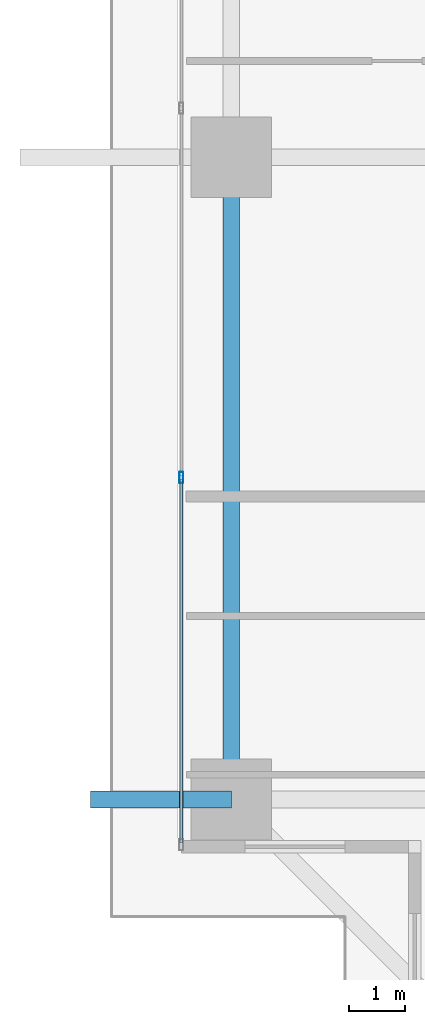
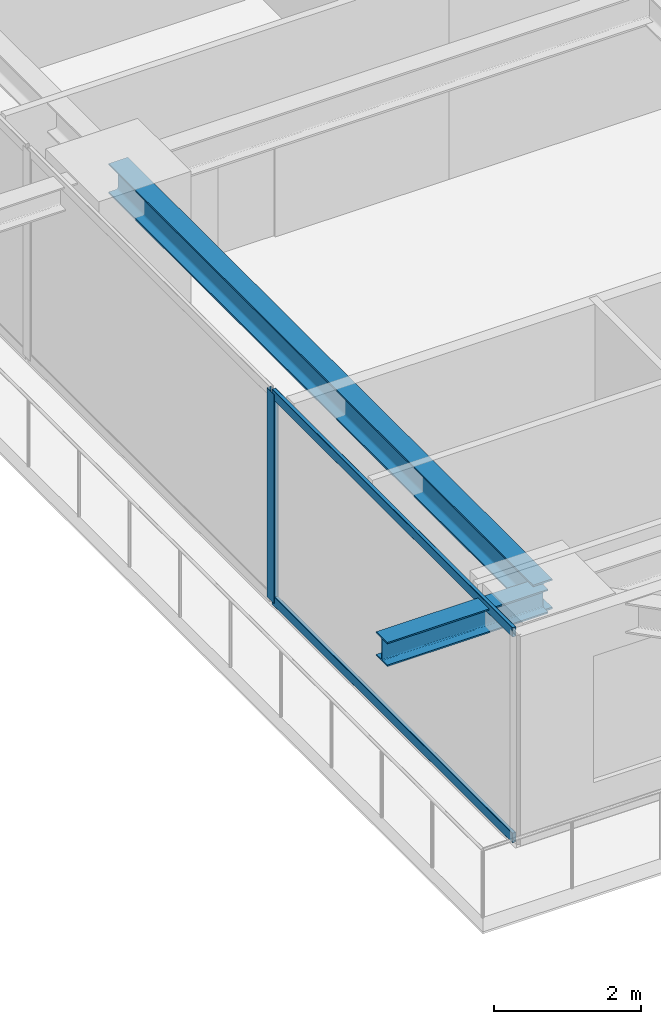
# One storey, part 3 of 38: 3 members, 2 beams, 1 element without a shape of its own.
"""IFC4 building model written with IfcOpenShell, lengths in metres."""

from ifc_helpers import new_model, si_unit, direction, frame, origin, origin_2d, place, context, subcontext, project, spatial, hollow_rectangle, i_section, extrude, source, transform, mapped, material, layer, layer_set, material_profile, profile_set, type_object, element, aggregate, save


model = new_model("IFC4")

# Units and contexts
model_context = context("Model", 3, precision=1e-05, world=origin(), true_north=direction((0.0, 1.0)))
body_context = subcontext(model_context, "Body", "Model", "MODEL_VIEW")
ifc_project = project(units=[si_unit("LENGTHUNIT", "METRE"), si_unit("AREAUNIT", "SQUARE_METRE"), si_unit("VOLUMEUNIT", "CUBIC_METRE"), si_unit("PLANEANGLEUNIT", "RADIAN"), si_unit("MASSUNIT", "GRAM", prefix="KILO")], contexts=[model_context])

# Site, building, storey
site_placement = place(None, origin())
site = spatial("IfcSite", under=ifc_project, at=site_placement, CompositionType="ELEMENT")
building_placement = place(site_placement, origin())
building = spatial("IfcBuilding", under=site, at=building_placement, Name="Serunith Strait Residences", CompositionType="ELEMENT")
storey_placement = place(building_placement, frame((0.0, 0.0, 52.949951171875)))
storey = spatial("IfcBuildingStorey", under=building, at=storey_placement, Name="L12", CompositionType="ELEMENT", Elevation=52.949951171875)

# Beams
ifc_material_1 = material(Name="Steel S355J2", Category="steel")
ifc_material_profile_1 = material_profile(ifc_material_1, i_section(OverallWidth=0.300048828125, OverallDepth=0.5, WebThickness=0.014404296875, FlangeThickness=0.028076171875, FilletRadius=0.027099609375, at=origin_2d()), Name="HEB 500")
ifc_profile_set_1 = profile_set([ifc_material_profile_1], Name="Steel S355J2")
beam_type_1 = type_object("IfcBeamType", Name="BM-HEB500", PredefinedType="BEAM", material=ifc_profile_set_1)
shared_shape_1 = source(origin(), body_context, "Body", "SweptSolid", [
    extrude(i_section(OverallWidth=0.300048828125, OverallDepth=0.5, WebThickness=0.014404296875, FlangeThickness=0.028076171875, FilletRadius=0.027099609375, at=origin_2d()), origin(), (0.0, 0.0, 1.0), 11.550048828125),
])
beam_1_placement = place(storey_placement, frame((6.89990234375, 21.0, 3.237060546875), z_axis=(0.0, -1.0, 0.0), x_axis=(1.0, 0.0, 0.0)))
element("IfcBeam", 1, at=beam_1_placement, inside=storey, type_object=beam_type_1, Name="L12 Perimeter Ring Beam 15", PredefinedType="BEAM", context=body_context, shape_type="MappedRepresentation", body=[
    mapped(shared_shape_1, transform((0.0, 0.0, 0.0), scale=1.0)),
])
ifc_material_profile_2 = material_profile(ifc_material_1, i_section(OverallWidth=0.300048828125, OverallDepth=0.39990234375, WebThickness=0.013427734375, FlangeThickness=0.02392578125, FilletRadius=0.027099609375, at=origin_2d()), Name="HEB 400")
ifc_profile_set_2 = profile_set([ifc_material_profile_2], Name="Steel S355J2")
beam_type_2 = type_object("IfcBeamType", Name="BM-HEB400", PredefinedType="BEAM", material=ifc_profile_set_2)
shared_shape_2 = source(origin(), body_context, "Body", "SweptSolid", [
    extrude(i_section(OverallWidth=0.300048828125, OverallDepth=0.39990234375, WebThickness=0.013427734375, FlangeThickness=0.02392578125, FilletRadius=0.027099609375, at=origin_2d()), origin(), (0.0, 0.0, 1.0), 2.52880859375),
])
beam_2_placement = place(storey_placement, frame((6.89990234375, 9.449951171875, 3.257080078125), z_axis=(-1.0, 0.0, 0.0), x_axis=(0.0, -1.0, 0.0)))
element("IfcBeam", 2, at=beam_2_placement, inside=storey, type_object=beam_type_2, Name="L13 Cantilevered Balcony Rib TC-W1", PredefinedType="BEAM", context=body_context, shape_type="MappedRepresentation", body=[
    mapped(shared_shape_2, transform((0.0, 0.0, 0.0), scale=1.0)),
])

# Curtain wall, members
ifc_material_2 = material(Name="Pale-Champagne Anodised Aluminium", Category="aluminium")
ifc_layer = layer(ifc_material_2, 0.199951171875, Name="Pale-Champagne Anodised Aluminium")
ifc_layer_set = layer_set([ifc_layer], Name="Pale-Champagne Anodised Aluminium")
curtain_wall_type = type_object("IfcCurtainWallType", Name="CW-SYS1", PredefinedType="NOTDEFINED", material=ifc_layer_set)
curtain_wall_placement = place(storey_placement, origin())
curtain_wall = element("IfcCurtainWall", 3, at=curtain_wall_placement, inside=storey, type_object=curtain_wall_type, Name="L12 W Unitised Fritted Curtain Wall", PredefinedType="NOTDEFINED")
ifc_material_profile_3 = material_profile(ifc_material_2, hollow_rectangle(XDim=0.070068359375, YDim=0.199951171875, WallThickness=0.00390625, InnerFilletRadius=0.006103515625, OuterFilletRadius=0.010009765625, at=origin_2d()), Name="ALU 200x70x4")
ifc_profile_set_3 = profile_set([ifc_material_profile_3], Name="Pale-Champagne Anodised Aluminium")
member_type_1 = type_object("IfcMemberType", Name="CW-SYS1-MULL", PredefinedType="MULLION", material=ifc_profile_set_3)
shared_shape_3 = source(origin(), body_context, "Body", "SweptSolid", [
    extrude(hollow_rectangle(XDim=0.070068359375, YDim=0.199951171875, WallThickness=0.00390625, InnerFilletRadius=0.006103515625, OuterFilletRadius=0.010009765625, at=origin_2d()), origin(), (0.0, 0.0, 1.0), 3.47509765625),
])
member_1_placement = place(storey_placement, frame((6.0, 15.239990234375, 0.0), z_axis=(0.0, 0.0, 1.0), x_axis=(1.0, 0.0, 0.0)))
member_1 = element("IfcMember", 4, at=member_1_placement, type_object=member_type_1, Name="CW-1 mullion 5", PredefinedType="MULLION", context=body_context, shape_type="MappedRepresentation", body=[
    mapped(shared_shape_3, transform((0.0, 0.0, 0.0), scale=1.0)),
])
ifc_material_profile_4 = material_profile(ifc_material_2, hollow_rectangle(XDim=0.06005859375, YDim=0.159912109375, WallThickness=0.00341796875, InnerFilletRadius=0.00537109375, OuterFilletRadius=0.0087890625, at=origin_2d()), Name="ALU 160x60x3.5")
ifc_profile_set_4 = profile_set([ifc_material_profile_4], Name="Pale-Champagne Anodised Aluminium")
member_type_2 = type_object("IfcMemberType", Name="CW-SYS1-TRAN", PredefinedType="USERDEFINED", material=ifc_profile_set_4)
shared_shape_4 = source(origin(), body_context, "Body", "SweptSolid", [
    extrude(hollow_rectangle(XDim=0.06005859375, YDim=0.159912109375, WallThickness=0.00341796875, InnerFilletRadius=0.00537109375, OuterFilletRadius=0.0087890625, at=origin_2d()), origin(), (0.0, 0.0, 1.0), 6.53515625),
])
member_2_placement = place(storey_placement, frame((6.0, 15.205078125, 0.030029296875), z_axis=(0.0, -1.0, 0.0), x_axis=(1.0, 0.0, 0.0)))
member_2 = element("IfcMember", 5, at=member_2_placement, type_object=member_type_2, Name="CW-1 transom 5.1", ObjectType="TRANSOM", PredefinedType="USERDEFINED", context=body_context, shape_type="MappedRepresentation", body=[
    mapped(shared_shape_4, transform((0.0, 0.0, 0.0), scale=1.0)),
])
member_3_placement = place(storey_placement, frame((6.0, 15.205078125, 3.445068359375), z_axis=(0.0, -1.0, 0.0), x_axis=(1.0, 0.0, 0.0)))
member_3 = element("IfcMember", 6, at=member_3_placement, type_object=member_type_2, Name="CW-1 transom 5.2", ObjectType="TRANSOM", PredefinedType="USERDEFINED", context=body_context, shape_type="MappedRepresentation", body=[
    mapped(shared_shape_4, transform((0.0, 0.0, 0.0), scale=1.0)),
])
aggregate(curtain_wall, [member_1, member_2, member_3])

save(model, "model.ifc")
